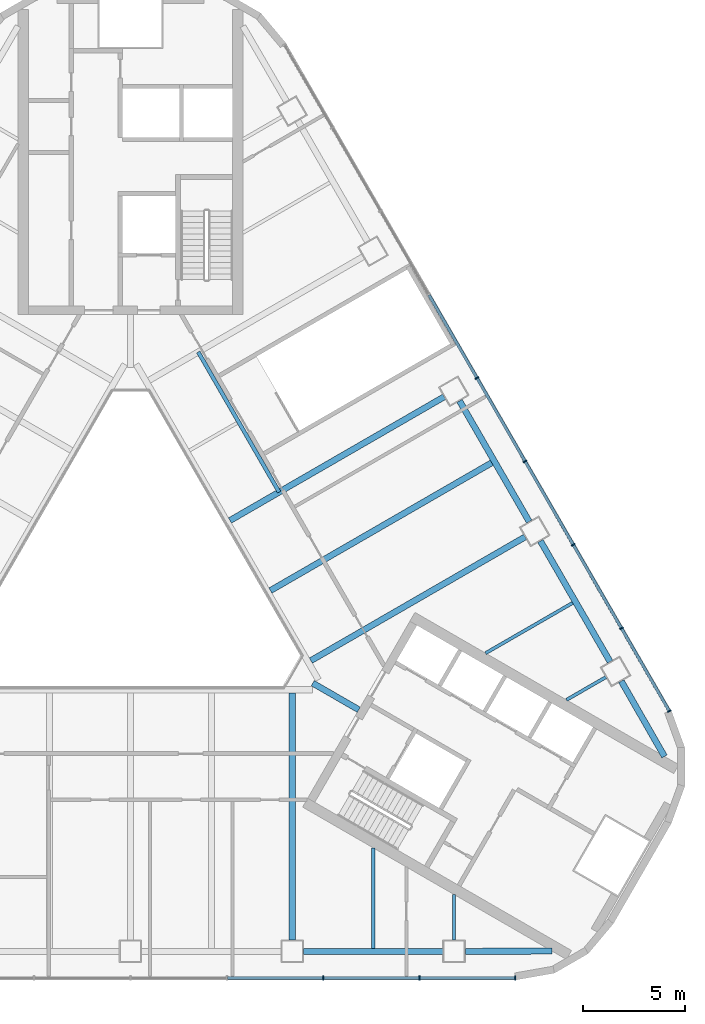
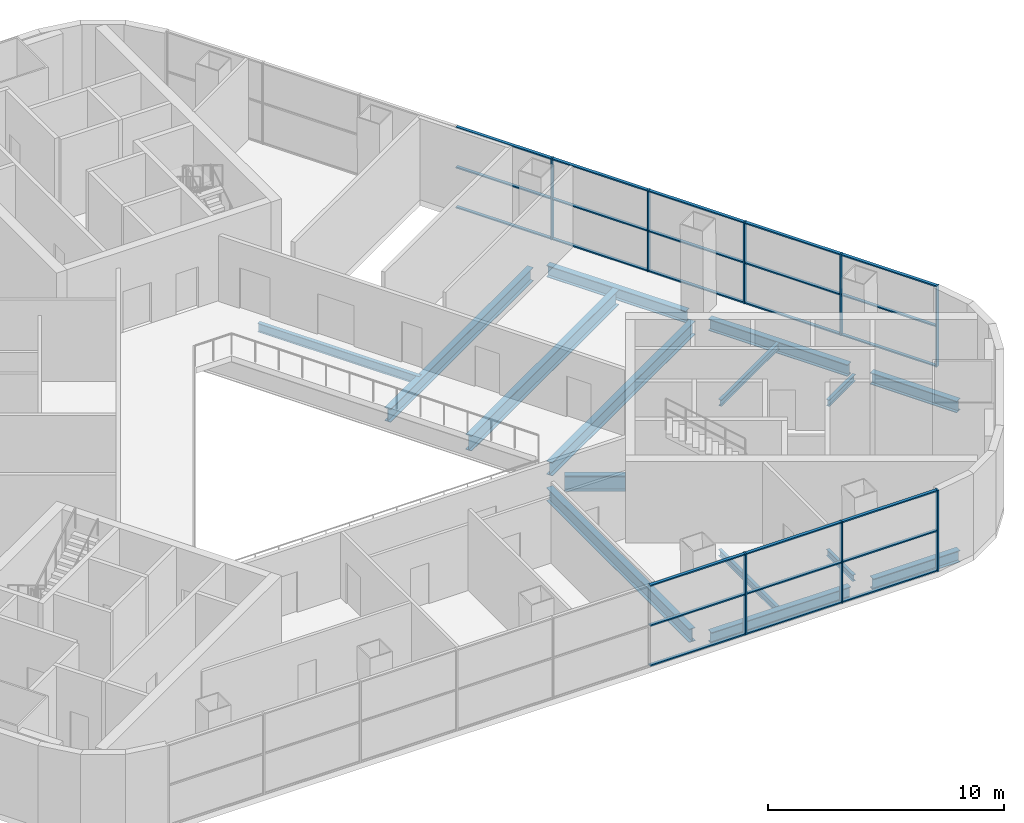
# One storey, part 4 of 12: 32 members, 15 beams, 2 elements without a shape of their own.
"""IFC4 building model written with IfcOpenShell, lengths in metres."""

from ifc_helpers import new_model, si_unit, direction, frame, origin, origin_2d, place, context, subcontext, project, spatial, rectangle, i_section, extrude, material, layer, layer_set, material_profile, profile_set, type_object, element, aggregate, save


model = new_model("IFC4")

# Units and contexts
model_context = context("Model", 3, precision=1e-05, world=origin(), true_north=direction((0.0, 1.0)))
body_context = subcontext(model_context, "Body", "Model", "MODEL_VIEW")
ifc_project = project(units=[si_unit("LENGTHUNIT", "METRE"), si_unit("AREAUNIT", "SQUARE_METRE"), si_unit("VOLUMEUNIT", "CUBIC_METRE"), si_unit("PLANEANGLEUNIT", "RADIAN"), si_unit("MASSUNIT", "GRAM", prefix="KILO")], contexts=[model_context])

# Site, building, storey
site_placement = place(None, origin())
site = spatial("IfcSite", under=ifc_project, at=site_placement, CompositionType="ELEMENT")
building_placement = place(site_placement, origin())
building = spatial("IfcBuilding", under=site, at=building_placement, Name="Apuvela Tower Hotel", CompositionType="ELEMENT")
storey_placement = place(building_placement, frame((0.0, 0.0, 33.0)))
storey = spatial("IfcBuildingStorey", under=building, at=storey_placement, Name="L05", CompositionType="ELEMENT", Elevation=33.0)

# Curtain wall, members
ifc_material_1 = material(Name="Aluminium 6063-T6, dark bronze anodised", Category="aluminium")
ifc_layer = layer(ifc_material_1, 0.199951171875)
ifc_layer_set = layer_set([ifc_layer], Name="ENV-CW-P")
curtain_wall_type = type_object("IfcCurtainWallType", Name="ENV-CW-P", PredefinedType="NOTDEFINED", material=ifc_layer_set)
curtain_wall_1_placement = place(storey_placement, origin())
curtain_wall_1 = element("IfcCurtainWall", 1, at=curtain_wall_1_placement, inside=storey, type_object=curtain_wall_type, Name="Curtain wall CW-P S L05", PredefinedType="NOTDEFINED")
ifc_material_profile_1 = material_profile(ifc_material_1, rectangle(XDim=0.199951171875, YDim=0.06494140625, at=origin_2d()), Name="AL 65x200")
ifc_profile_set_1 = profile_set([ifc_material_profile_1], Name="Aluminium 6063-T6, dark bronze anodised")
member_type_1 = type_object("IfcMemberType", Name="ENV-MULLION-65x200", PredefinedType="MULLION", material=ifc_profile_set_1)
member_1_placement = place(storey_placement, frame((9.429931640625, -19.576171875, 0.0), z_axis=(0.0, 0.0, 1.0), x_axis=(0.0, 1.0, 0.0)))
member_1 = element("IfcMember", 2, at=member_1_placement, type_object=member_type_1, Name="CW-P mullion 7", PredefinedType="MULLION", context=body_context, shape_type="SweptSolid", body=[
    extrude(rectangle(XDim=0.199951171875, YDim=0.06494140625, at=origin_2d()), origin(), (0.0, 0.0, 1.0), 4.199951171875),
])
member_2_placement = place(storey_placement, frame((14.14501953125, -19.576171875, 0.0), z_axis=(0.0, 0.0, 1.0), x_axis=(0.0, 1.0, 0.0)))
member_2 = element("IfcMember", 3, at=member_2_placement, type_object=member_type_1, Name="CW-P mullion 8", PredefinedType="MULLION", context=body_context, shape_type="SweptSolid", body=[
    extrude(rectangle(XDim=0.199951171875, YDim=0.06494140625, at=origin_2d()), origin(), (0.0, 0.0, 1.0), 4.199951171875),
])
member_3_placement = place(storey_placement, frame((18.827392578125, -19.576171875, 0.0), z_axis=(0.0, 0.0, 1.0), x_axis=(0.0, 1.0, 0.0)))
member_3 = element("IfcMember", 4, at=member_3_placement, type_object=member_type_1, Name="CW-P mullion 9", PredefinedType="MULLION", context=body_context, shape_type="SweptSolid", body=[
    extrude(rectangle(XDim=0.199951171875, YDim=0.06494140625, at=origin_2d()), origin(), (0.0, 0.0, 1.0), 4.199951171875),
])

curtain_wall_2_placement = place(storey_placement, origin())
curtain_wall_2 = element("IfcCurtainWall", 5, at=curtain_wall_2_placement, inside=storey, type_object=curtain_wall_type, Name="Curtain wall CW-P NE L05", PredefinedType="NOTDEFINED")
member_4_placement = place(storey_placement, frame((26.3671875, -6.51708984375, 0.0), z_axis=(0.0, 0.0, 1.0), x_axis=(-0.866025548062, -0.499999750104, 0.0)))
member_4 = element("IfcMember", 6, at=member_4_placement, type_object=member_type_1, Name="CW-P mullion 1", PredefinedType="MULLION", context=body_context, shape_type="SweptSolid", body=[
    extrude(rectangle(XDim=0.199951171875, YDim=0.06494140625, at=origin_2d()), origin(), (0.0, 0.0, 1.0), 4.199951171875),
])
member_5_placement = place(storey_placement, frame((24.02587890625, -2.4619140625, 0.0), z_axis=(0.0, 0.0, 1.0), x_axis=(-0.866025548062, -0.499999750104, 0.0)))
member_5 = element("IfcMember", 7, at=member_5_placement, type_object=member_type_1, Name="CW-P mullion 2", PredefinedType="MULLION", context=body_context, shape_type="SweptSolid", body=[
    extrude(rectangle(XDim=0.199951171875, YDim=0.06494140625, at=origin_2d()), origin(), (0.0, 0.0, 1.0), 4.199951171875),
])
member_6_placement = place(storey_placement, frame((21.66845703125, 1.621337890625, 0.0), z_axis=(0.0, 0.0, 1.0), x_axis=(-0.866025548062, -0.499999750104, 0.0)))
member_6 = element("IfcMember", 8, at=member_6_placement, type_object=member_type_1, Name="CW-P mullion 3", PredefinedType="MULLION", context=body_context, shape_type="SweptSolid", body=[
    extrude(rectangle(XDim=0.199951171875, YDim=0.06494140625, at=origin_2d()), origin(), (0.0, 0.0, 1.0), 4.199951171875),
])
member_7_placement = place(storey_placement, frame((19.310791015625, 5.704833984375, 0.0), z_axis=(0.0, 0.0, 1.0), x_axis=(-0.866025548062, -0.499999750104, 0.0)))
member_7 = element("IfcMember", 9, at=member_7_placement, type_object=member_type_1, Name="CW-P mullion 4", PredefinedType="MULLION", context=body_context, shape_type="SweptSolid", body=[
    extrude(rectangle(XDim=0.199951171875, YDim=0.06494140625, at=origin_2d()), origin(), (0.0, 0.0, 1.0), 4.199951171875),
])
member_8_placement = place(storey_placement, frame((16.953369140625, 9.7880859375, 0.0), z_axis=(0.0, 0.0, 1.0), x_axis=(-0.866025548062, -0.499999750104, 0.0)))
member_8 = element("IfcMember", 10, at=member_8_placement, type_object=member_type_1, Name="CW-P mullion 5", PredefinedType="MULLION", context=body_context, shape_type="SweptSolid", body=[
    extrude(rectangle(XDim=0.199951171875, YDim=0.06494140625, at=origin_2d()), origin(), (0.0, 0.0, 1.0), 4.199951171875),
])

# Member
ifc_material_profile_2 = material_profile(ifc_material_1, rectangle(XDim=0.14990234375, YDim=0.06494140625, at=origin_2d()), Name="AL 65x150 transom")
ifc_profile_set_2 = profile_set([ifc_material_profile_2], Name="Aluminium 6063-T6, dark bronze anodised")
member_type_2 = type_object("IfcMemberType", Name="ENV-TRANSOM-65x150", PredefinedType="USERDEFINED", material=ifc_profile_set_2)
member_9_placement = place(storey_placement, frame((4.74755859375, -19.576171875, 0.032470703125), z_axis=(1.0, 0.0, 0.0), x_axis=(0.0, 1.0, 0.0)))
member_9 = element("IfcMember", 11, at=member_9_placement, type_object=member_type_2, Name="CW-P transom 6.1", ObjectType="TRANSOM", PredefinedType="USERDEFINED", context=body_context, shape_type="SweptSolid", body=[
    extrude(rectangle(XDim=0.14990234375, YDim=0.06494140625, at=origin_2d()), origin(), (0.0, 0.0, 1.0), 4.64990234375),
])

member_10_placement = place(storey_placement, frame((4.74755859375, -19.576171875, 2.10009765625), z_axis=(1.0, 0.0, 0.0), x_axis=(0.0, 1.0, 0.0)))
member_10 = element("IfcMember", 12, at=member_10_placement, type_object=member_type_2, Name="CW-P transom 6.2", ObjectType="TRANSOM", PredefinedType="USERDEFINED", context=body_context, shape_type="SweptSolid", body=[
    extrude(rectangle(XDim=0.14990234375, YDim=0.06494140625, at=origin_2d()), origin(), (0.0, 0.0, 1.0), 4.64990234375),
])

member_11_placement = place(storey_placement, frame((4.74755859375, -19.576171875, 4.16748046875), z_axis=(1.0, 0.0, 0.0), x_axis=(0.0, 1.0, 0.0)))
member_11 = element("IfcMember", 13, at=member_11_placement, type_object=member_type_2, Name="CW-P transom 6.3", ObjectType="TRANSOM", PredefinedType="USERDEFINED", context=body_context, shape_type="SweptSolid", body=[
    extrude(rectangle(XDim=0.14990234375, YDim=0.06494140625, at=origin_2d()), origin(), (0.0, 0.0, 1.0), 4.64990234375),
])

member_12_placement = place(storey_placement, frame((9.46240234375, -19.576171875, 0.032470703125), z_axis=(1.0, 0.0, 0.0), x_axis=(0.0, 1.0, 0.0)))
member_12 = element("IfcMember", 14, at=member_12_placement, type_object=member_type_2, Name="CW-P transom 7.1", ObjectType="TRANSOM", PredefinedType="USERDEFINED", context=body_context, shape_type="SweptSolid", body=[
    extrude(rectangle(XDim=0.14990234375, YDim=0.06494140625, at=origin_2d()), origin(), (0.0, 0.0, 1.0), 4.650146484375),
])

member_13_placement = place(storey_placement, frame((9.46240234375, -19.576171875, 2.10009765625), z_axis=(1.0, 0.0, 0.0), x_axis=(0.0, 1.0, 0.0)))
member_13 = element("IfcMember", 15, at=member_13_placement, type_object=member_type_2, Name="CW-P transom 7.2", ObjectType="TRANSOM", PredefinedType="USERDEFINED", context=body_context, shape_type="SweptSolid", body=[
    extrude(rectangle(XDim=0.14990234375, YDim=0.06494140625, at=origin_2d()), origin(), (0.0, 0.0, 1.0), 4.650146484375),
])

member_14_placement = place(storey_placement, frame((9.46240234375, -19.576171875, 4.16748046875), z_axis=(1.0, 0.0, 0.0), x_axis=(0.0, 1.0, 0.0)))
member_14 = element("IfcMember", 16, at=member_14_placement, type_object=member_type_2, Name="CW-P transom 7.3", ObjectType="TRANSOM", PredefinedType="USERDEFINED", context=body_context, shape_type="SweptSolid", body=[
    extrude(rectangle(XDim=0.14990234375, YDim=0.06494140625, at=origin_2d()), origin(), (0.0, 0.0, 1.0), 4.650146484375),
])

member_15_placement = place(storey_placement, frame((14.177490234375, -19.576171875, 0.032470703125), z_axis=(1.0, 0.0, 0.0), x_axis=(0.0, 1.0, 0.0)))
member_15 = element("IfcMember", 17, at=member_15_placement, type_object=member_type_2, Name="CW-P transom 8.1", ObjectType="TRANSOM", PredefinedType="USERDEFINED", context=body_context, shape_type="SweptSolid", body=[
    extrude(rectangle(XDim=0.14990234375, YDim=0.06494140625, at=origin_2d()), origin(), (0.0, 0.0, 1.0), 4.617431640625),
])

member_16_placement = place(storey_placement, frame((14.177490234375, -19.576171875, 2.10009765625), z_axis=(1.0, 0.0, 0.0), x_axis=(0.0, 1.0, 0.0)))
member_16 = element("IfcMember", 18, at=member_16_placement, type_object=member_type_2, Name="CW-P transom 8.2", ObjectType="TRANSOM", PredefinedType="USERDEFINED", context=body_context, shape_type="SweptSolid", body=[
    extrude(rectangle(XDim=0.14990234375, YDim=0.06494140625, at=origin_2d()), origin(), (0.0, 0.0, 1.0), 4.617431640625),
])

member_17_placement = place(storey_placement, frame((14.177490234375, -19.576171875, 4.16748046875), z_axis=(1.0, 0.0, 0.0), x_axis=(0.0, 1.0, 0.0)))
member_17 = element("IfcMember", 19, at=member_17_placement, type_object=member_type_2, Name="CW-P transom 8.3", ObjectType="TRANSOM", PredefinedType="USERDEFINED", context=body_context, shape_type="SweptSolid", body=[
    extrude(rectangle(XDim=0.14990234375, YDim=0.06494140625, at=origin_2d()), origin(), (0.0, 0.0, 1.0), 4.617431640625),
])

aggregate(curtain_wall_1, [member_1, member_2, member_3, member_9, member_10, member_11, member_12, member_13, member_14, member_15, member_16, member_17])

member_18_placement = place(storey_placement, frame((26.350830078125, -6.489013671875, 0.032470703125), z_axis=(-0.499960447986, 0.866048237946, 0.0), x_axis=(-0.866048237946, -0.499960447986, 0.0)))
member_18 = element("IfcMember", 20, at=member_18_placement, type_object=member_type_2, Name="CW-P transom 1.1", ObjectType="TRANSOM", PredefinedType="USERDEFINED", context=body_context, shape_type="SweptSolid", body=[
    extrude(rectangle(XDim=0.14990234375, YDim=0.06494140625, at=origin_2d()), origin(), (0.0, 0.0, 1.0), 4.617431640625),
])

member_19_placement = place(storey_placement, frame((26.350830078125, -6.489013671875, 2.10009765625), z_axis=(-0.499960447986, 0.866048237946, 0.0), x_axis=(-0.866048237946, -0.499960447986, 0.0)))
member_19 = element("IfcMember", 21, at=member_19_placement, type_object=member_type_2, Name="CW-P transom 1.2", ObjectType="TRANSOM", PredefinedType="USERDEFINED", context=body_context, shape_type="SweptSolid", body=[
    extrude(rectangle(XDim=0.14990234375, YDim=0.06494140625, at=origin_2d()), origin(), (0.0, 0.0, 1.0), 4.617431640625),
])

member_20_placement = place(storey_placement, frame((26.350830078125, -6.489013671875, 4.16748046875), z_axis=(-0.499960447986, 0.866048237946, 0.0), x_axis=(-0.866048237946, -0.499960447986, 0.0)))
member_20 = element("IfcMember", 22, at=member_20_placement, type_object=member_type_2, Name="CW-P transom 1.3", ObjectType="TRANSOM", PredefinedType="USERDEFINED", context=body_context, shape_type="SweptSolid", body=[
    extrude(rectangle(XDim=0.14990234375, YDim=0.06494140625, at=origin_2d()), origin(), (0.0, 0.0, 1.0), 4.617431640625),
])

member_21_placement = place(storey_placement, frame((24.009765625, -2.433837890625, 0.032470703125), z_axis=(-0.500023913295, 0.866011596997, 0.0), x_axis=(-0.866011596997, -0.500023913295, 0.0)))
member_21 = element("IfcMember", 23, at=member_21_placement, type_object=member_type_2, Name="CW-P transom 2.1", ObjectType="TRANSOM", PredefinedType="USERDEFINED", context=body_context, shape_type="SweptSolid", body=[
    extrude(rectangle(XDim=0.14990234375, YDim=0.06494140625, at=origin_2d()), origin(), (0.0, 0.0, 1.0), 4.650146484375),
])

member_22_placement = place(storey_placement, frame((24.009765625, -2.433837890625, 2.10009765625), z_axis=(-0.500023913295, 0.866011596997, 0.0), x_axis=(-0.866011596997, -0.500023913295, 0.0)))
member_22 = element("IfcMember", 24, at=member_22_placement, type_object=member_type_2, Name="CW-P transom 2.2", ObjectType="TRANSOM", PredefinedType="USERDEFINED", context=body_context, shape_type="SweptSolid", body=[
    extrude(rectangle(XDim=0.14990234375, YDim=0.06494140625, at=origin_2d()), origin(), (0.0, 0.0, 1.0), 4.650146484375),
])

member_23_placement = place(storey_placement, frame((24.009765625, -2.433837890625, 4.16748046875), z_axis=(-0.500023913295, 0.866011596997, 0.0), x_axis=(-0.866011596997, -0.500023913295, 0.0)))
member_23 = element("IfcMember", 25, at=member_23_placement, type_object=member_type_2, Name="CW-P transom 2.3", ObjectType="TRANSOM", PredefinedType="USERDEFINED", context=body_context, shape_type="SweptSolid", body=[
    extrude(rectangle(XDim=0.14990234375, YDim=0.06494140625, at=origin_2d()), origin(), (0.0, 0.0, 1.0), 4.650146484375),
])

member_24_placement = place(storey_placement, frame((21.652099609375, 1.649658203125, 0.032470703125), z_axis=(-0.500007271693, 0.86602120543, 0.0), x_axis=(-0.86602120543, -0.500007271693, 0.0)))
member_24 = element("IfcMember", 26, at=member_24_placement, type_object=member_type_2, Name="CW-P transom 3.1", ObjectType="TRANSOM", PredefinedType="USERDEFINED", context=body_context, shape_type="SweptSolid", body=[
    extrude(rectangle(XDim=0.14990234375, YDim=0.06494140625, at=origin_2d()), origin(), (0.0, 0.0, 1.0), 4.64990234375),
])

member_25_placement = place(storey_placement, frame((21.652099609375, 1.649658203125, 2.10009765625), z_axis=(-0.500007271693, 0.86602120543, 0.0), x_axis=(-0.86602120543, -0.500007271693, 0.0)))
member_25 = element("IfcMember", 27, at=member_25_placement, type_object=member_type_2, Name="CW-P transom 3.2", ObjectType="TRANSOM", PredefinedType="USERDEFINED", context=body_context, shape_type="SweptSolid", body=[
    extrude(rectangle(XDim=0.14990234375, YDim=0.06494140625, at=origin_2d()), origin(), (0.0, 0.0, 1.0), 4.64990234375),
])

member_26_placement = place(storey_placement, frame((21.652099609375, 1.649658203125, 4.16748046875), z_axis=(-0.500007271693, 0.86602120543, 0.0), x_axis=(-0.86602120543, -0.500007271693, 0.0)))
member_26 = element("IfcMember", 28, at=member_26_placement, type_object=member_type_2, Name="CW-P transom 3.3", ObjectType="TRANSOM", PredefinedType="USERDEFINED", context=body_context, shape_type="SweptSolid", body=[
    extrude(rectangle(XDim=0.14990234375, YDim=0.06494140625, at=origin_2d()), origin(), (0.0, 0.0, 1.0), 4.64990234375),
])

member_27_placement = place(storey_placement, frame((19.294677734375, 5.73291015625, 0.032470703125), z_axis=(-0.499984536904, 0.866034331223, 0.0), x_axis=(-0.866034331223, -0.499984536904, 0.0)))
member_27 = element("IfcMember", 29, at=member_27_placement, type_object=member_type_2, Name="CW-P transom 4.1", ObjectType="TRANSOM", PredefinedType="USERDEFINED", context=body_context, shape_type="SweptSolid", body=[
    extrude(rectangle(XDim=0.14990234375, YDim=0.06494140625, at=origin_2d()), origin(), (0.0, 0.0, 1.0), 4.650146484375),
])

member_28_placement = place(storey_placement, frame((19.294677734375, 5.73291015625, 2.10009765625), z_axis=(-0.499984536904, 0.866034331223, 0.0), x_axis=(-0.866034331223, -0.499984536904, 0.0)))
member_28 = element("IfcMember", 30, at=member_28_placement, type_object=member_type_2, Name="CW-P transom 4.2", ObjectType="TRANSOM", PredefinedType="USERDEFINED", context=body_context, shape_type="SweptSolid", body=[
    extrude(rectangle(XDim=0.14990234375, YDim=0.06494140625, at=origin_2d()), origin(), (0.0, 0.0, 1.0), 4.650146484375),
])

member_29_placement = place(storey_placement, frame((19.294677734375, 5.73291015625, 4.16748046875), z_axis=(-0.499984536904, 0.866034331223, 0.0), x_axis=(-0.866034331223, -0.499984536904, 0.0)))
member_29 = element("IfcMember", 31, at=member_29_placement, type_object=member_type_2, Name="CW-P transom 4.3", ObjectType="TRANSOM", PredefinedType="USERDEFINED", context=body_context, shape_type="SweptSolid", body=[
    extrude(rectangle(XDim=0.14990234375, YDim=0.06494140625, at=origin_2d()), origin(), (0.0, 0.0, 1.0), 4.650146484375),
])

member_30_placement = place(storey_placement, frame((16.937255859375, 9.816162109375, 0.032470703125), z_axis=(-0.500023913295, 0.866011596997, 0.0), x_axis=(-0.866011596997, -0.500023913295, 0.0)))
member_30 = element("IfcMember", 32, at=member_30_placement, type_object=member_type_2, Name="CW-P transom 5.1", ObjectType="TRANSOM", PredefinedType="USERDEFINED", context=body_context, shape_type="SweptSolid", body=[
    extrude(rectangle(XDim=0.14990234375, YDim=0.06494140625, at=origin_2d()), origin(), (0.0, 0.0, 1.0), 4.650146484375),
])

member_31_placement = place(storey_placement, frame((16.937255859375, 9.816162109375, 2.10009765625), z_axis=(-0.500023913295, 0.866011596997, 0.0), x_axis=(-0.866011596997, -0.500023913295, 0.0)))
member_31 = element("IfcMember", 33, at=member_31_placement, type_object=member_type_2, Name="CW-P transom 5.2", ObjectType="TRANSOM", PredefinedType="USERDEFINED", context=body_context, shape_type="SweptSolid", body=[
    extrude(rectangle(XDim=0.14990234375, YDim=0.06494140625, at=origin_2d()), origin(), (0.0, 0.0, 1.0), 4.650146484375),
])

member_32_placement = place(storey_placement, frame((16.937255859375, 9.816162109375, 4.16748046875), z_axis=(-0.500023913295, 0.866011596997, 0.0), x_axis=(-0.866011596997, -0.500023913295, 0.0)))
member_32 = element("IfcMember", 34, at=member_32_placement, type_object=member_type_2, Name="CW-P transom 5.3", ObjectType="TRANSOM", PredefinedType="USERDEFINED", context=body_context, shape_type="SweptSolid", body=[
    extrude(rectangle(XDim=0.14990234375, YDim=0.06494140625, at=origin_2d()), origin(), (0.0, 0.0, 1.0), 4.650146484375),
])

aggregate(curtain_wall_2, [member_4, member_5, member_6, member_7, member_8, member_18, member_19, member_20, member_21, member_22, member_23, member_24, member_25, member_26, member_27, member_28, member_29, member_30, member_31, member_32])

# Beams
ifc_material_2 = material(Name="Steel S355", Category="steel")
ifc_material_profile_3 = material_profile(ifc_material_2, i_section(OverallWidth=0.300048828125, OverallDepth=0.68994140625, WebThickness=0.014404296875, FlangeThickness=0.027099609375, at=origin_2d()), Name="HE 700 A")
ifc_profile_set_3 = profile_set([ifc_material_profile_3], Name="Steel S355")
beam_type_1 = type_object("IfcBeamType", Name="STR-B floor beam HE 700 A", PredefinedType="BEAM", material=ifc_profile_set_3)
for number, where, z_axis, x_axis, name in (
    (35, (19.310546875, 2.00537109375, -0.64501953125), (-0.866026374629, -0.499998318443, 0.0), (0.499998318443, -0.866026374629, 0.0), "Floor beam B6 NE3"),
    (36, (15.351318359375, 8.863037109375, -0.64501953125), (-0.866026374629, -0.499998318443, 0.0), (0.499998318443, -0.866026374629, 0.0), "Floor beam B6 NE5"),
    (37, (7.91845703125, -17.72607421875, -0.64501953125), (0.0, 1.0, 0.0), (-1.0, 0.0, 0.0), "Floor beam B6 S7"),
):
    element("IfcBeam", number, at=place(storey_placement, frame(where, z_axis=z_axis, x_axis=x_axis)), inside=storey, type_object=beam_type_1, Name=name, PredefinedType="BEAM", context=body_context, shape_type="SweptSolid", body=[
        extrude(i_section(OverallWidth=0.300048828125, OverallDepth=0.68994140625, WebThickness=0.014404296875, FlangeThickness=0.027099609375, at=origin_2d()), origin(), (0.0, 0.0, 1.0), 12.10400390625),
    ])
ifc_material_profile_4 = material_profile(ifc_material_2, i_section(OverallWidth=0.300048828125, OverallDepth=0.7900390625, WebThickness=0.014892578125, FlangeThickness=0.028076171875, at=origin_2d()), Name="HE 800 A")
ifc_profile_set_4 = profile_set([ifc_material_profile_4], Name="Steel S355")
beam_type_2 = type_object("IfcBeamType", Name="STR-B floor beam HE 800 A", PredefinedType="BEAM", material=ifc_profile_set_4)
beam_1_placement = place(storey_placement, frame((17.67724609375, 5.63427734375, -0.695068359375), z_axis=(-0.866020087484, -0.50000920799, 0.0), x_axis=(0.50000920799, -0.866020087484, 0.0)))
element("IfcBeam", 38, at=beam_1_placement, inside=storey, type_object=beam_type_2, Name="Floor beam B5 NE4", PredefinedType="BEAM", context=body_context, shape_type="SweptSolid", body=[
    extrude(i_section(OverallWidth=0.300048828125, OverallDepth=0.7900390625, WebThickness=0.014892578125, FlangeThickness=0.028076171875, at=origin_2d()), origin(), (0.0, 0.0, 1.0), 12.504150390625),
])
ifc_material_profile_5 = material_profile(ifc_material_2, i_section(OverallWidth=0.159912109375, OverallDepth=0.330078125, WebThickness=0.007568359375, FlangeThickness=0.011474609375, at=origin_2d()), Name="IPE 330")
ifc_profile_set_5 = profile_set([ifc_material_profile_5], Name="Steel S355")
beam_type_3 = type_object("IfcBeamType", Name="STR-B floor beam IPE 330", PredefinedType="BEAM", material=ifc_profile_set_5)
beam_2_placement = place(storey_placement, frame((23.269775390625, -4.852294921875, -0.465087890625), z_axis=(-0.866039839502, -0.499974995771, 0.0), x_axis=(0.499974995771, -0.866039839502, 0.0)))
element("IfcBeam", 39, at=beam_2_placement, inside=storey, type_object=beam_type_3, Name="Floor beam B1 NE1", PredefinedType="BEAM", context=body_context, shape_type="SweptSolid", body=[
    extrude(i_section(OverallWidth=0.159912109375, OverallDepth=0.330078125, WebThickness=0.007568359375, FlangeThickness=0.011474609375, at=origin_2d()), origin(), (0.0, 0.0, 1.0), 2.2314453125),
])
for number, where, z_axis, x_axis, name in (
    (40, (21.63671875, -1.223388671875, -0.465087890625), (-0.866044222282, -0.49996740399, 0.0), (0.49996740399, -0.866044222282, 0.0), "Floor beam B1 NE2"),
    (41, (11.877685546875, -18.126220703125, -0.465087890625), (0.0, 1.0, 0.0), (-1.0, 0.0, 0.0), "Floor beam B1 S8"),
):
    element("IfcBeam", number, at=place(storey_placement, frame(where, z_axis=z_axis, x_axis=x_axis)), inside=storey, type_object=beam_type_3, Name=name, PredefinedType="BEAM", context=body_context, shape_type="SweptSolid", body=[
        extrude(i_section(OverallWidth=0.159912109375, OverallDepth=0.330078125, WebThickness=0.007568359375, FlangeThickness=0.011474609375, at=origin_2d()), origin(), (0.0, 0.0, 1.0), 4.917724609375),
    ])
beam_3_placement = place(storey_placement, frame((15.837158203125, -17.72607421875, -0.465087890625), z_axis=(0.0, 1.0, 0.0), x_axis=(-1.0, 0.0, 0.0)))
element("IfcBeam", 42, at=beam_3_placement, inside=storey, type_object=beam_type_3, Name="Floor beam B1 S9", PredefinedType="BEAM", context=body_context, shape_type="SweptSolid", body=[
    extrude(i_section(OverallWidth=0.159912109375, OverallDepth=0.330078125, WebThickness=0.007568359375, FlangeThickness=0.011474609375, at=origin_2d()), origin(), (0.0, 0.0, 1.0), 2.231689453125),
])
ifc_material_profile_6 = material_profile(ifc_material_2, i_section(OverallWidth=0.300048828125, OverallDepth=0.800048828125, WebThickness=0.017578125, FlangeThickness=0.032958984375, at=origin_2d()), Name="HE 800 B")
ifc_profile_set_6 = profile_set([ifc_material_profile_6], Name="Steel S355")
beam_type_4 = type_object("IfcBeamType", Name="STR-GT core tie beam HE 800 B", PredefinedType="BEAM", material=ifc_profile_set_6)
beam_4_placement = place(storey_placement, frame((11.171630859375, -6.449951171875, -0.699951171875), z_axis=(-0.865997922154, 0.500047596559, 0.0), x_axis=(-0.500047596559, -0.865997922154, 0.0)))
element("IfcBeam", 43, at=beam_4_placement, inside=storey, type_object=beam_type_4, Name="Core tie beam GT1 SE", PredefinedType="BEAM", context=body_context, shape_type="SweptSolid", body=[
    extrude(i_section(OverallWidth=0.300048828125, OverallDepth=0.800048828125, WebThickness=0.017578125, FlangeThickness=0.032958984375, at=origin_2d()), origin(), (0.0, 0.0, 1.0), 2.599853515625),
])
ifc_material_profile_7 = material_profile(ifc_material_2, i_section(OverallWidth=0.300048828125, OverallDepth=0.60009765625, WebThickness=0.015380859375, FlangeThickness=0.030029296875, at=origin_2d()), Name="HE 600 B")
ifc_profile_set_7 = profile_set([ifc_material_profile_7], Name="Steel S355")
beam_type_5 = type_object("IfcBeamType", Name="STR-SB spandrel beam HE 600 B", PredefinedType="SPANDREL", material=ifc_profile_set_7)
beam_5_placement = place(storey_placement, frame((8.468505859375, -18.276123046875, -0.60009765625), z_axis=(1.0, 0.0, 0.0), x_axis=(0.0, 1.0, 0.0)))
element("IfcBeam", 44, at=beam_5_placement, inside=storey, type_object=beam_type_5, Name="Spandrel beam SB1 S4", PredefinedType="SPANDREL", context=body_context, shape_type="SweptSolid", body=[
    extrude(i_section(OverallWidth=0.300048828125, OverallDepth=0.60009765625, WebThickness=0.015380859375, FlangeThickness=0.030029296875, at=origin_2d()), origin(), (0.0, 0.0, 1.0), 6.818603515625),
])
beam_6_placement = place(storey_placement, frame((23.47119140625, -4.10107421875, -0.60009765625), z_axis=(-0.500001387996, 0.866024602423, 0.0), x_axis=(-0.866024602423, -0.500001387996, 0.0)))
element("IfcBeam", 45, at=beam_6_placement, inside=storey, type_object=beam_type_5, Name="Spandrel beam SB1 NE1", PredefinedType="SPANDREL", context=body_context, shape_type="SweptSolid", body=[
    extrude(i_section(OverallWidth=0.300048828125, OverallDepth=0.60009765625, WebThickness=0.015380859375, FlangeThickness=0.030029296875, at=origin_2d()), origin(), (0.0, 0.0, 1.0), 6.81884765625),
])
beam_7_placement = place(storey_placement, frame((19.51171875, 2.756591796875, -0.60009765625), z_axis=(-0.499990038096, 0.866031155216, 0.0), x_axis=(-0.866031155216, -0.499990038096, 0.0)))
element("IfcBeam", 46, at=beam_7_placement, inside=storey, type_object=beam_type_5, Name="Spandrel beam SB1 NE2", PredefinedType="SPANDREL", context=body_context, shape_type="SweptSolid", body=[
    extrude(i_section(OverallWidth=0.300048828125, OverallDepth=0.60009765625, WebThickness=0.015380859375, FlangeThickness=0.030029296875, at=origin_2d()), origin(), (0.0, 0.0, 1.0), 6.818603515625),
])
beam_8_placement = place(storey_placement, frame((16.38720703125, -18.274658203125, -0.60009765625), z_axis=(0.999996347719, 0.002702692832, 0.0), x_axis=(-0.002702692832, 0.999996347719, 0.0)))
element("IfcBeam", 47, at=beam_8_placement, inside=storey, type_object=beam_type_5, Name="Spandrel beam SB1 S5-SE", PredefinedType="SPANDREL", context=body_context, shape_type="SweptSolid", body=[
    extrude(i_section(OverallWidth=0.300048828125, OverallDepth=0.60009765625, WebThickness=0.015380859375, FlangeThickness=0.030029296875, at=origin_2d()), origin(), (0.0, 0.0, 1.0), 4.24560546875),
])
beam_9_placement = place(storey_placement, frame((24.019775390625, -5.05419921875, -0.60009765625), z_axis=(0.497680095092, -0.867360664861, 0.0), x_axis=(0.867360664861, 0.497680095092, 0.0)))
element("IfcBeam", 48, at=beam_9_placement, inside=storey, type_object=beam_type_5, Name="Spandrel beam SB1 NE1-SE", PredefinedType="SPANDREL", context=body_context, shape_type="SweptSolid", body=[
    extrude(i_section(OverallWidth=0.300048828125, OverallDepth=0.60009765625, WebThickness=0.015380859375, FlangeThickness=0.030029296875, at=origin_2d()), origin(), (0.0, 0.0, 1.0), 4.245849609375),
])
ifc_material_profile_8 = material_profile(ifc_material_2, i_section(OverallWidth=0.18994140625, OverallDepth=0.449951171875, WebThickness=0.009521484375, FlangeThickness=0.0146484375, at=origin_2d()), Name="IPE 450")
ifc_profile_set_8 = profile_set([ifc_material_profile_8], Name="Steel S355")
beam_type_6 = type_object("IfcBeamType", Name="STR-TB stair trimmer beam IPE 450", PredefinedType="BEAM", material=ifc_profile_set_8)
beam_10_placement = place(storey_placement, frame((7.274658203125, 4.199951171875, -0.52490234375), z_axis=(-0.500018690203, 0.866014612722, 0.0), x_axis=(-0.866014612722, -0.500018690203, 0.0)))
element("IfcBeam", 49, at=beam_10_placement, inside=storey, type_object=beam_type_6, Name="Stair trimmer beam TB3 PS1", PredefinedType="BEAM", context=body_context, shape_type="SweptSolid", body=[
    extrude(i_section(OverallWidth=0.18994140625, OverallDepth=0.449951171875, WebThickness=0.009521484375, FlangeThickness=0.0146484375, at=origin_2d()), origin(), (0.0, 0.0, 1.0), 7.918701171875),
])

save(model, "model.ifc")
